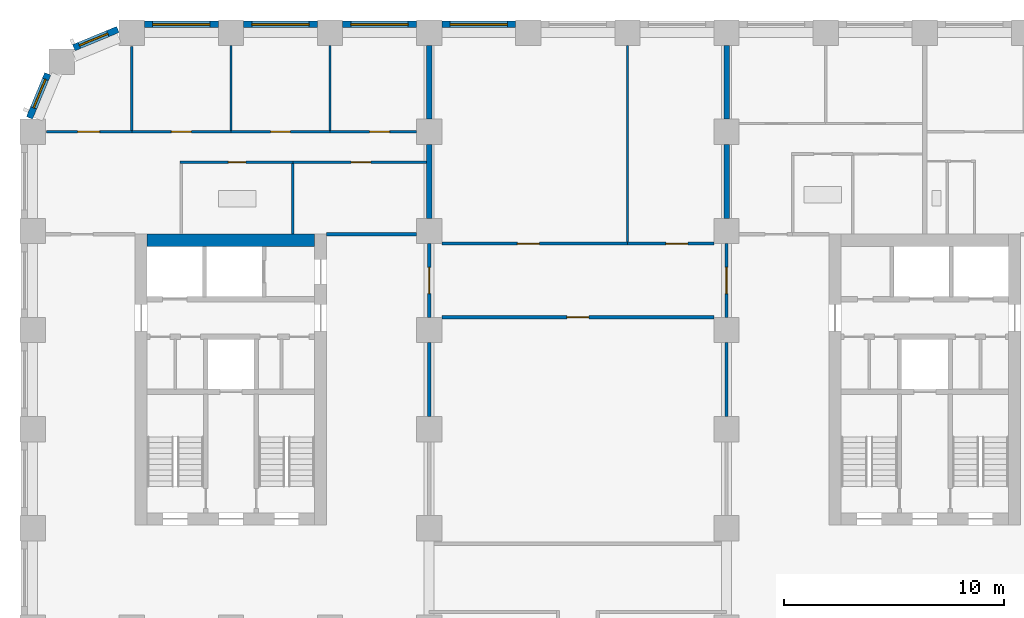
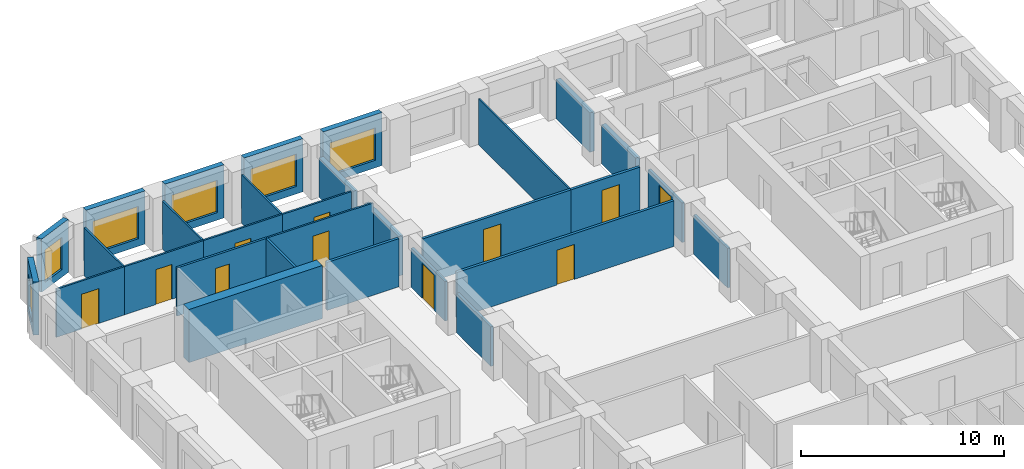
# One storey, part 7 of 12: 30 walls, 11 doors, 6 windows, 17 openings.
"""IFC4 building model written with IfcOpenShell, lengths in metres."""

from ifc_helpers import new_model, si_unit, direction, frame, frame_2d, origin, place, context, subcontext, project, spatial, rectangle, extrude, material, layer, layer_set, type_object, element, fill, save


model = new_model("IFC4")

# Units and contexts
model_context = context("Model", 3, precision=1e-05, world=origin(), true_north=direction((0.0, 1.0)))
body_context = subcontext(model_context, "Body", "Model", "MODEL_VIEW")
ifc_project = project(units=[si_unit("LENGTHUNIT", "METRE"), si_unit("AREAUNIT", "SQUARE_METRE"), si_unit("VOLUMEUNIT", "CUBIC_METRE"), si_unit("PLANEANGLEUNIT", "RADIAN"), si_unit("MASSUNIT", "GRAM", prefix="KILO")], contexts=[model_context])

# Site, building, storey
site_placement = place(None, origin())
site = spatial("IfcSite", under=ifc_project, at=site_placement, CompositionType="ELEMENT")
building_placement = place(site_placement, origin())
building = spatial("IfcBuilding", under=site, at=building_placement, Name="Girih Gate Residences", CompositionType="ELEMENT")
storey_placement = place(building_placement, frame((0.0, 0.0, 112.0)))
storey = spatial("IfcBuildingStorey", under=building, at=storey_placement, Name="L31", CompositionType="ELEMENT", Elevation=112.0)

# Walls
ifc_material_1 = material(Name="Gypsum board on steel studs", Category="steel")
ifc_layer_1 = layer(ifc_material_1, 0.25)
ifc_layer_set_1 = layer_set([ifc_layer_1], Name="Acoustic separating wall 250 mm")
wall_type_1 = type_object("IfcWallType", Name="Acoustic separating wall 250 mm", PredefinedType="PARTITIONING", material=ifc_layer_set_1)
for number, where, z_axis, x_axis, name in (
    (1, (18.0, 45.574951171875, 0.0), (0.0, 0.0, 1.0), (0.0, 1.0, 0.0), "L31 partition"),
    (2, (18.0, 41.074951171875, 0.0), (0.0, 0.0, 1.0), (0.0, 1.0, 0.0), "L31 partition"),
    (3, (31.5, 41.074951171875, 0.0), (0.0, 0.0, 1.0), (0.0, 1.0, 0.0), "L31 partition"),
    (4, (31.5, 45.574951171875, 0.0), (0.0, 0.0, 1.0), (0.0, 1.0, 0.0), "L31 partition"),
):
    element("IfcWall", number, at=place(storey_placement, frame(where, z_axis=z_axis, x_axis=x_axis)), inside=storey, type_object=wall_type_1, Name=name, PredefinedType="PARTITIONING", context=body_context, shape_type="SweptSolid", body=[
        extrude(rectangle(XDim=3.35009765625, YDim=0.25, at=frame_2d((1.675048828125, 0.0))), origin(), (0.0, 0.0, 1.0), 2.3798828125),
    ])
ifc_layer_2 = layer(ifc_material_1, 0.14990234375)
ifc_layer_set_2 = layer_set([ifc_layer_2], Name="Compartment wall 150 mm")
wall_type_2 = type_object("IfcWallType", Name="Compartment wall 150 mm", PredefinedType="PARTITIONING", material=ifc_layer_set_2)
wall_1_placement = place(storey_placement, frame((13.35009765625, 40.35009765625, 0.0), z_axis=(0.0, 0.0, 1.0), x_axis=(1.0, 0.0, 0.0)))
element("IfcWall", 5, at=wall_1_placement, inside=storey, type_object=wall_type_2, Name="L31 partition", PredefinedType="PARTITIONING", context=body_context, shape_type="SweptSolid", body=[
    extrude(rectangle(XDim=4.074951171875, YDim=0.14990234375, at=frame_2d((2.03759765625, 0.0))), origin(), (0.0, 0.0, 1.0), 2.89990234375),
])

# Wall, opening, door
wall_2_placement = place(storey_placement, frame((18.574951171875, 39.925048828125, 0.0), z_axis=(0.0, 0.0, 1.0), x_axis=(1.0, 0.0, 0.0)))
wall_2 = element("IfcWall", 6, at=wall_2_placement, inside=storey, type_object=wall_type_2, Name="L31 partition", PredefinedType="PARTITIONING", context=body_context, shape_type="SweptSolid", body=[
    extrude(rectangle(XDim=8.425048828125, YDim=0.14990234375, at=frame_2d((4.21240234375, 0.0))), origin(), (0.0, 0.0, 1.0), 2.75),
])
opening_1_placement = place(wall_2_placement, frame((3.425048828125, 0.0, 0.0)))
opening_1 = element("IfcOpeningElement", 7, at=opening_1_placement, cuts=wall_2, Name="Opening A31-039", PredefinedType="OPENING", context=body_context, shape_type="SweptSolid", body=[
    extrude(rectangle(XDim=1.0, YDim=2.10009765625, at=frame_2d((0.5, 1.050048828125))), frame((0.0, 0.0849609375, 0.0), z_axis=(0.0, -1.0, 0.0), x_axis=(1.0, 0.0, 0.0)), (0.0, 0.0, 1.0), 0.169921875),
])
ifc_material_2 = material(Name="Timber, fire-rated core", Category="wood")
door_type_1 = type_object("IfcDoorType", Name="Amenity room door 1000x2100 FD30S", OperationType="NOTDEFINED", PredefinedType="DOOR", material=ifc_material_2)
door_1_placement = place(opening_1_placement, origin())
door_1 = element("IfcDoor", 8, at=door_1_placement, inside=storey, type_object=door_type_1, Name="Door A31-039", OperationType="SINGLE_SWING_LEFT", OverallHeight=2.10009765625, OverallWidth=1.0, PredefinedType="DOOR", context=body_context, shape_type="SweptSolid", body=[
    extrude(rectangle(XDim=1.0, YDim=2.10009765625, at=frame_2d((0.5, 1.050048828125))), frame((0.0, 0.02490234375, 0.0), z_axis=(0.0, -1.0, 0.0), x_axis=(1.0, 0.0, 0.0)), (0.0, 0.0, 1.0), 0.050048828125),
])
fill(opening_1, door_1)

wall_3_placement = place(storey_placement, frame((27.0, 39.925048828125, 0.0), z_axis=(0.0, 0.0, 1.0), x_axis=(1.0, 0.0, 0.0)))
wall_3 = element("IfcWall", 9, at=wall_3_placement, inside=storey, type_object=wall_type_2, Name="L31 partition", PredefinedType="PARTITIONING", context=body_context, shape_type="SweptSolid", body=[
    extrude(rectangle(XDim=3.925048828125, YDim=0.14990234375, at=frame_2d((1.96240234375, 0.0))), origin(), (0.0, 0.0, 1.0), 2.75),
])
opening_2_placement = place(wall_3_placement, frame((1.75, 0.0, 0.0)))
opening_2 = element("IfcOpeningElement", 10, at=opening_2_placement, cuts=wall_3, Name="Opening A31-040", PredefinedType="OPENING", context=body_context, shape_type="SweptSolid", body=[
    extrude(rectangle(XDim=1.0, YDim=2.10009765625, at=frame_2d((0.5, 1.050048828125))), frame((0.0, 0.0849609375, 0.0), z_axis=(0.0, -1.0, 0.0), x_axis=(1.0, 0.0, 0.0)), (0.0, 0.0, 1.0), 0.169921875),
])
door_2_placement = place(opening_2_placement, origin())
door_2 = element("IfcDoor", 11, at=door_2_placement, inside=storey, type_object=door_type_1, Name="Door A31-040", OperationType="SINGLE_SWING_RIGHT", OverallHeight=2.10009765625, OverallWidth=1.0, PredefinedType="DOOR", context=body_context, shape_type="SweptSolid", body=[
    extrude(rectangle(XDim=1.0, YDim=2.10009765625, at=frame_2d((0.5, 1.050048828125))), frame((0.0, 0.02490234375, 0.0), z_axis=(0.0, -1.0, 0.0), x_axis=(1.0, 0.0, 0.0)), (0.0, 0.0, 1.0), 0.050048828125),
])
fill(opening_2, door_2)

wall_4_placement = place(storey_placement, frame((30.925048828125, 36.574951171875, 0.0), z_axis=(0.0, 0.0, 1.0), x_axis=(-1.0, 0.0, 0.0)))
wall_4 = element("IfcWall", 12, at=wall_4_placement, inside=storey, type_object=wall_type_2, Name="L31 partition", PredefinedType="PARTITIONING", context=body_context, shape_type="SweptSolid", body=[
    extrude(rectangle(XDim=12.35009765625, YDim=0.14990234375, at=frame_2d((6.175048828125, 0.0))), origin(), (0.0, 0.0, 1.0), 2.75),
])
opening_3_placement = place(wall_4_placement, frame((5.675048828125, 0.0, 0.0)))
opening_3 = element("IfcOpeningElement", 13, at=opening_3_placement, cuts=wall_4, Name="Opening A31-041", PredefinedType="OPENING", context=body_context, shape_type="SweptSolid", body=[
    extrude(rectangle(XDim=1.0, YDim=2.10009765625, at=frame_2d((0.5, 1.050048828125))), frame((0.0, 0.0849609375, 0.0), z_axis=(0.0, -1.0, 0.0), x_axis=(1.0, 0.0, 0.0)), (0.0, 0.0, 1.0), 0.169921875),
])
door_3_placement = place(opening_3_placement, origin())
door_3 = element("IfcDoor", 14, at=door_3_placement, inside=storey, type_object=door_type_1, Name="Door A31-041", OperationType="SINGLE_SWING_RIGHT", OverallHeight=2.10009765625, OverallWidth=1.0, PredefinedType="DOOR", context=body_context, shape_type="SweptSolid", body=[
    extrude(rectangle(XDim=1.0, YDim=2.10009765625, at=frame_2d((0.5, 1.050048828125))), frame((0.0, 0.02490234375, 0.0), z_axis=(0.0, -1.0, 0.0), x_axis=(1.0, 0.0, 0.0)), (0.0, 0.0, 1.0), 0.050048828125),
])
fill(opening_3, door_3)

wall_5_placement = place(storey_placement, frame((31.5, 36.574951171875, 0.0), z_axis=(0.0, 0.0, 1.0), x_axis=(0.0, 1.0, 0.0)))
wall_5 = element("IfcWall", 15, at=wall_5_placement, inside=storey, type_object=wall_type_2, Name="L31 partition", PredefinedType="PARTITIONING", context=body_context, shape_type="SweptSolid", body=[
    extrude(rectangle(XDim=3.35009765625, YDim=0.14990234375, at=frame_2d((1.675048828125, 0.0))), origin(), (0.0, 0.0, 1.0), 2.3798828125),
])
opening_4_placement = place(wall_5_placement, frame((1.074951171875, 0.0, 0.0)))
opening_4 = element("IfcOpeningElement", 16, at=opening_4_placement, cuts=wall_5, Name="Opening A31-042", PredefinedType="OPENING", context=body_context, shape_type="SweptSolid", body=[
    extrude(rectangle(XDim=1.199951171875, YDim=2.10009765625, at=frame_2d((0.60009765625, 1.050048828125))), frame((0.0, 0.0849609375, 0.0), z_axis=(0.0, -1.0, 0.0), x_axis=(1.0, 0.0, 0.0)), (0.0, 0.0, 1.0), 0.169921875),
])
door_type_2 = type_object("IfcDoorType", Name="Corridor fire door 1200x2100 FD30S", OperationType="NOTDEFINED", PredefinedType="DOOR", material=ifc_material_2)
door_4_placement = place(opening_4_placement, origin())
door_4 = element("IfcDoor", 17, at=door_4_placement, inside=storey, type_object=door_type_2, Name="Door A31-042", OperationType="SINGLE_SWING_LEFT", OverallHeight=2.10009765625, OverallWidth=1.199951171875, PredefinedType="DOOR", context=body_context, shape_type="SweptSolid", body=[
    extrude(rectangle(XDim=1.199951171875, YDim=2.10009765625, at=frame_2d((0.60009765625, 1.050048828125))), frame((0.0, 0.02490234375, 0.0), z_axis=(0.0, -1.0, 0.0), x_axis=(1.0, 0.0, 0.0)), (0.0, 0.0, 1.0), 0.050048828125),
])
fill(opening_4, door_4)

wall_6_placement = place(storey_placement, frame((18.0, 39.925048828125, 0.0), z_axis=(0.0, 0.0, 1.0), x_axis=(0.0, -1.0, 0.0)))
wall_6 = element("IfcWall", 18, at=wall_6_placement, inside=storey, type_object=wall_type_2, Name="L31 partition", PredefinedType="PARTITIONING", context=body_context, shape_type="SweptSolid", body=[
    extrude(rectangle(XDim=3.35009765625, YDim=0.14990234375, at=frame_2d((1.675048828125, 0.0))), origin(), (0.0, 0.0, 1.0), 2.3798828125),
])
opening_5_placement = place(wall_6_placement, frame((1.074951171875, 0.0, 0.0)))
opening_5 = element("IfcOpeningElement", 19, at=opening_5_placement, cuts=wall_6, Name="Opening A31-043", PredefinedType="OPENING", context=body_context, shape_type="SweptSolid", body=[
    extrude(rectangle(XDim=1.199951171875, YDim=2.10009765625, at=frame_2d((0.60009765625, 1.050048828125))), frame((0.0, 0.0849609375, 0.0), z_axis=(0.0, -1.0, 0.0), x_axis=(1.0, 0.0, 0.0)), (0.0, 0.0, 1.0), 0.169921875),
])
door_5_placement = place(opening_5_placement, origin())
door_5 = element("IfcDoor", 20, at=door_5_placement, inside=storey, type_object=door_type_2, Name="Door A31-043", OperationType="SINGLE_SWING_LEFT", OverallHeight=2.10009765625, OverallWidth=1.199951171875, PredefinedType="DOOR", context=body_context, shape_type="SweptSolid", body=[
    extrude(rectangle(XDim=1.199951171875, YDim=2.10009765625, at=frame_2d((0.60009765625, 1.050048828125))), frame((0.0, 0.02490234375, 0.0), z_axis=(0.0, -1.0, 0.0), x_axis=(1.0, 0.0, 0.0)), (0.0, 0.0, 1.0), 0.050048828125),
])
fill(opening_5, door_5)

# Walls
for number, where, z_axis, x_axis, name in (
    (21, (31.5, 32.074951171875, 0.0), (0.0, 0.0, 1.0), (0.0, 1.0, 0.0), "L31 partition"),
    (22, (18.0, 32.074951171875, 0.0), (0.0, 0.0, 1.0), (0.0, 1.0, 0.0), "L31 partition"),
):
    element("IfcWall", number, at=place(storey_placement, frame(where, z_axis=z_axis, x_axis=x_axis)), inside=storey, type_object=wall_type_2, Name=name, PredefinedType="PARTITIONING", context=body_context, shape_type="SweptSolid", body=[
        extrude(rectangle(XDim=3.35009765625, YDim=0.14990234375, at=frame_2d((1.675048828125, 0.0))), origin(), (0.0, 0.0, 1.0), 2.3798828125),
    ])
ifc_material_3 = material(Name="Concrete C60/75", Category="concrete")
ifc_layer_3 = layer(ifc_material_3, 0.550048828125)
ifc_layer_set_3 = layer_set([ifc_layer_3], Name="Core wall RC 550 Concrete C60/75")
wall_type_3 = type_object("IfcWallType", Name="Core wall RC 550 Concrete C60/75", PredefinedType="SOLIDWALL", material=ifc_layer_set_3)
wall_7_placement = place(storey_placement, frame((5.199951171875, 40.074951171875, 0.0), z_axis=(0.0, 0.0, 1.0), x_axis=(1.0, 0.0, 0.0)))
element("IfcWall", 23, at=wall_7_placement, inside=storey, type_object=wall_type_3, Name="Core wall W-N L31", PredefinedType="SOLIDWALL", context=body_context, shape_type="SweptSolid", body=[
    extrude(rectangle(XDim=7.60009765625, YDim=0.550048828125, at=frame_2d((3.800048828125, 0.0))), origin(), (0.0, 0.0, 1.0), 3.199951171875),
])
ifc_layer_4 = layer(ifc_material_1, 0.10009765625)
ifc_layer_set_4 = layer_set([ifc_layer_4], Name="Partition 100 mm")
wall_type_4 = type_object("IfcWallType", Name="Partition 100 mm", PredefinedType="PARTITIONING", material=ifc_layer_set_4)
wall_8_placement = place(storey_placement, frame((9.0, 45.050048828125, 0.0), z_axis=(0.0, 0.0, 1.0), x_axis=(0.0, 1.0, 0.0)))
element("IfcWall", 24, at=wall_8_placement, inside=storey, type_object=wall_type_4, Name="L31 partition", PredefinedType="PARTITIONING", context=body_context, shape_type="SweptSolid", body=[
    extrude(rectangle(XDim=3.875, YDim=0.10009765625, at=frame_2d((1.9375, 0.0))), origin(), (0.0, 0.0, 1.0), 2.89990234375),
])

# Wall, opening, door
wall_9_placement = place(storey_placement, frame((4.5, 45.0, 0.0), z_axis=(0.0, 0.0, 1.0), x_axis=(1.0, 0.0, 0.0)))
wall_9 = element("IfcWall", 25, at=wall_9_placement, inside=storey, type_object=wall_type_4, Name="L31 partition", PredefinedType="PARTITIONING", context=body_context, shape_type="SweptSolid", body=[
    extrude(rectangle(XDim=4.5, YDim=0.10009765625, at=frame_2d((2.25, 0.0))), origin(), (0.0, 0.0, 1.0), 2.89990234375),
])
opening_6_placement = place(wall_9_placement, frame((1.800048828125, 0.0, 0.0)))
opening_6 = element("IfcOpeningElement", 26, at=opening_6_placement, cuts=wall_9, Name="Opening A31-011", PredefinedType="OPENING", context=body_context, shape_type="SweptSolid", body=[
    extrude(rectangle(XDim=0.89990234375, YDim=2.10009765625, at=frame_2d((0.449951171875, 1.050048828125))), frame((0.0, 0.06005859375, 0.0), z_axis=(0.0, -1.0, 0.0), x_axis=(1.0, 0.0, 0.0)), (0.0, 0.0, 1.0), 0.1201171875),
])
ifc_material_4 = material(Name="Timber", Category="wood")
door_type_3 = type_object("IfcDoorType", Name="Bedroom door 900x2100", OperationType="NOTDEFINED", PredefinedType="DOOR", material=ifc_material_4)
door_6_placement = place(opening_6_placement, origin())
door_6 = element("IfcDoor", 27, at=door_6_placement, inside=storey, type_object=door_type_3, Name="Door A31-011", OperationType="SINGLE_SWING_RIGHT", OverallHeight=2.10009765625, OverallWidth=0.89990234375, PredefinedType="DOOR", context=body_context, shape_type="SweptSolid", body=[
    extrude(rectangle(XDim=0.89990234375, YDim=2.10009765625, at=frame_2d((0.449951171875, 1.050048828125))), frame((0.0, 0.02490234375, 0.0), z_axis=(0.0, -1.0, 0.0), x_axis=(1.0, 0.0, 0.0)), (0.0, 0.0, 1.0), 0.050048828125),
])
fill(opening_6, door_6)

# Walls
wall_10_placement = place(storey_placement, frame((4.5, 45.050048828125, 0.0), z_axis=(0.0, 0.0, 1.0), x_axis=(0.0, 1.0, 0.0)))
element("IfcWall", 28, at=wall_10_placement, inside=storey, type_object=wall_type_4, Name="L31 partition", PredefinedType="PARTITIONING", context=body_context, shape_type="SweptSolid", body=[
    extrude(rectangle(XDim=3.82763671875, YDim=0.10009765625, at=frame_2d((1.913818359375, 0.0))), origin(), (0.0, 0.0, 1.0), 2.89990234375),
])
wall_11_placement = place(storey_placement, frame((13.5, 45.050048828125, 0.0), z_axis=(0.0, 0.0, 1.0), x_axis=(0.0, 1.0, 0.0)))
element("IfcWall", 29, at=wall_11_placement, inside=storey, type_object=wall_type_4, Name="L31 partition", PredefinedType="PARTITIONING", context=body_context, shape_type="SweptSolid", body=[
    extrude(rectangle(XDim=3.875, YDim=0.10009765625, at=frame_2d((1.9375, 0.0))), origin(), (0.0, 0.0, 1.0), 2.89990234375),
])

# Wall, opening, door
wall_12_placement = place(storey_placement, frame((9.0, 45.0, 0.0), z_axis=(0.0, 0.0, 1.0), x_axis=(1.0, 0.0, 0.0)))
wall_12 = element("IfcWall", 30, at=wall_12_placement, inside=storey, type_object=wall_type_4, Name="L31 partition", PredefinedType="PARTITIONING", context=body_context, shape_type="SweptSolid", body=[
    extrude(rectangle(XDim=4.5, YDim=0.10009765625, at=frame_2d((2.25, 0.0))), origin(), (0.0, 0.0, 1.0), 2.89990234375),
])
opening_7_placement = place(wall_12_placement, frame((1.800048828125, 0.0, 0.0)))
opening_7 = element("IfcOpeningElement", 31, at=opening_7_placement, cuts=wall_12, Name="Opening A31-012", PredefinedType="OPENING", context=body_context, shape_type="SweptSolid", body=[
    extrude(rectangle(XDim=0.89990234375, YDim=2.10009765625, at=frame_2d((0.449951171875, 1.050048828125))), frame((0.0, 0.06005859375, 0.0), z_axis=(0.0, -1.0, 0.0), x_axis=(1.0, 0.0, 0.0)), (0.0, 0.0, 1.0), 0.1201171875),
])
door_7_placement = place(opening_7_placement, origin())
door_7 = element("IfcDoor", 32, at=door_7_placement, inside=storey, type_object=door_type_3, Name="Door A31-012", OperationType="SINGLE_SWING_LEFT", OverallHeight=2.10009765625, OverallWidth=0.89990234375, PredefinedType="DOOR", context=body_context, shape_type="SweptSolid", body=[
    extrude(rectangle(XDim=0.89990234375, YDim=2.10009765625, at=frame_2d((0.449951171875, 1.050048828125))), frame((0.0, 0.02490234375, 0.0), z_axis=(0.0, -1.0, 0.0), x_axis=(1.0, 0.0, 0.0)), (0.0, 0.0, 1.0), 0.050048828125),
])
fill(opening_7, door_7)

wall_13_placement = place(storey_placement, frame((13.5, 45.0, 0.0), z_axis=(0.0, 0.0, 1.0), x_axis=(1.0, 0.0, 0.0)))
wall_13 = element("IfcWall", 33, at=wall_13_placement, inside=storey, type_object=wall_type_4, Name="L31 partition", PredefinedType="PARTITIONING", context=body_context, shape_type="SweptSolid", body=[
    extrude(rectangle(XDim=3.925048828125, YDim=0.10009765625, at=frame_2d((1.96240234375, 0.0))), origin(), (0.0, 0.0, 1.0), 2.89990234375),
])
opening_8_placement = place(wall_13_placement, frame((1.800048828125, 0.0, 0.0)))
opening_8 = element("IfcOpeningElement", 34, at=opening_8_placement, cuts=wall_13, Name="Opening A31-013", PredefinedType="OPENING", context=body_context, shape_type="SweptSolid", body=[
    extrude(rectangle(XDim=0.89990234375, YDim=2.10009765625, at=frame_2d((0.449951171875, 1.050048828125))), frame((0.0, 0.06005859375, 0.0), z_axis=(0.0, -1.0, 0.0), x_axis=(1.0, 0.0, 0.0)), (0.0, 0.0, 1.0), 0.1201171875),
])
door_8_placement = place(opening_8_placement, origin())
door_8 = element("IfcDoor", 35, at=door_8_placement, inside=storey, type_object=door_type_3, Name="Door A31-013", OperationType="SINGLE_SWING_RIGHT", OverallHeight=2.10009765625, OverallWidth=0.89990234375, PredefinedType="DOOR", context=body_context, shape_type="SweptSolid", body=[
    extrude(rectangle(XDim=0.89990234375, YDim=2.10009765625, at=frame_2d((0.449951171875, 1.050048828125))), frame((0.0, 0.02490234375, 0.0), z_axis=(0.0, -1.0, 0.0), x_axis=(1.0, 0.0, 0.0)), (0.0, 0.0, 1.0), 0.050048828125),
])
fill(opening_8, door_8)

wall_14_placement = place(storey_placement, frame((17.875, 43.6201171875, 0.0), z_axis=(0.0, 0.0, 1.0), x_axis=(-1.0, 0.0, 0.0)))
wall_14 = element("IfcWall", 36, at=wall_14_placement, inside=storey, type_object=wall_type_4, Name="L31 partition", PredefinedType="PARTITIONING", context=body_context, shape_type="SweptSolid", body=[
    extrude(rectangle(XDim=6.064208984375, YDim=0.10009765625, at=frame_2d((3.0322265625, 0.0))), origin(), (0.0, 0.0, 1.0), 2.89990234375),
])
opening_9_placement = place(wall_14_placement, frame((2.51953125, 0.0, 0.0)))
opening_9 = element("IfcOpeningElement", 37, at=opening_9_placement, cuts=wall_14, Name="Opening A31-014", PredefinedType="OPENING", context=body_context, shape_type="SweptSolid", body=[
    extrude(rectangle(XDim=0.89990234375, YDim=2.10009765625, at=frame_2d((0.449951171875, 1.050048828125))), frame((0.0, 0.06005859375, 0.0), z_axis=(0.0, -1.0, 0.0), x_axis=(1.0, 0.0, 0.0)), (0.0, 0.0, 1.0), 0.1201171875),
])
door_type_4 = type_object("IfcDoorType", Name="Kitchen door 900x2100", OperationType="NOTDEFINED", PredefinedType="DOOR", material=ifc_material_4)
door_9_placement = place(opening_9_placement, origin())
door_9 = element("IfcDoor", 38, at=door_9_placement, inside=storey, type_object=door_type_4, Name="Door A31-014", OperationType="SINGLE_SWING_LEFT", OverallHeight=2.10009765625, OverallWidth=0.89990234375, PredefinedType="DOOR", context=body_context, shape_type="SweptSolid", body=[
    extrude(rectangle(XDim=0.89990234375, YDim=2.10009765625, at=frame_2d((0.449951171875, 1.050048828125))), frame((0.0, 0.02490234375, 0.0), z_axis=(0.0, -1.0, 0.0), x_axis=(1.0, 0.0, 0.0)), (0.0, 0.0, 1.0), 0.050048828125),
])
fill(opening_9, door_9)

wall_15_placement = place(storey_placement, frame((0.622314453125, 45.0, 0.0), z_axis=(0.0, 0.0, 1.0), x_axis=(1.0, 0.0, 0.0)))
wall_15 = element("IfcWall", 39, at=wall_15_placement, inside=storey, type_object=wall_type_4, Name="L31 partition", PredefinedType="PARTITIONING", context=body_context, shape_type="SweptSolid", body=[
    extrude(rectangle(XDim=3.877685546875, YDim=0.10009765625, at=frame_2d((1.93896484375, 0.0))), origin(), (0.0, 0.0, 1.0), 2.89990234375),
])
opening_10_placement = place(wall_15_placement, frame((1.4150390625, 0.0, 0.0)))
opening_10 = element("IfcOpeningElement", 40, at=opening_10_placement, cuts=wall_15, Name="Opening A31-015", PredefinedType="OPENING", context=body_context, shape_type="SweptSolid", body=[
    extrude(rectangle(XDim=1.0, YDim=2.10009765625, at=frame_2d((0.5, 1.050048828125))), frame((0.0, 0.06005859375, 0.0), z_axis=(0.0, -1.0, 0.0), x_axis=(1.0, 0.0, 0.0)), (0.0, 0.0, 1.0), 0.1201171875),
])
door_type_5 = type_object("IfcDoorType", Name="Living room door 1000x2100", OperationType="NOTDEFINED", PredefinedType="DOOR", material=ifc_material_4)
door_10_placement = place(opening_10_placement, origin())
door_10 = element("IfcDoor", 41, at=door_10_placement, inside=storey, type_object=door_type_5, Name="Door A31-015", OperationType="SINGLE_SWING_LEFT", OverallHeight=2.10009765625, OverallWidth=1.0, PredefinedType="DOOR", context=body_context, shape_type="SweptSolid", body=[
    extrude(rectangle(XDim=1.0, YDim=2.10009765625, at=frame_2d((0.5, 1.050048828125))), frame((0.0, 0.02490234375, 0.0), z_axis=(0.0, -1.0, 0.0), x_axis=(1.0, 0.0, 0.0)), (0.0, 0.0, 1.0), 0.050048828125),
])
fill(opening_10, door_10)

# Wall
wall_16_placement = place(storey_placement, frame((27.0, 40.0, 0.0), z_axis=(0.0, 0.0, 1.0), x_axis=(0.0, 1.0, 0.0)))
element("IfcWall", 42, at=wall_16_placement, inside=storey, type_object=wall_type_4, Name="L31 partition", PredefinedType="PARTITIONING", context=body_context, shape_type="SweptSolid", body=[
    extrude(rectangle(XDim=8.925048828125, YDim=0.10009765625, at=frame_2d((4.46240234375, 0.0))), origin(), (0.0, 0.0, 1.0), 2.75),
])

# Wall, opening, window
ifc_material_5 = material(Name="Precast concrete C50/60", Category="concrete")
ifc_layer_5 = layer(ifc_material_5, 0.080078125, Name="Outer leaf")
ifc_material_6 = material(Name="Rigid PIR insulation")
ifc_layer_6 = layer(ifc_material_6, 0.14990234375, Name="Insulation")
ifc_material_7 = material(Name="Precast concrete C40/50", Category="concrete")
ifc_layer_7 = layer(ifc_material_7, 0.070068359375, Name="Inner leaf")
ifc_layer_set_5 = layer_set([ifc_layer_5, ifc_layer_6, ifc_layer_7], Name="Precast concrete C50/60 external wall 300")
wall_type_5 = type_object("IfcWallType", Name="Precast concrete C50/60 external wall 300", PredefinedType="SOLIDWALL", material=ifc_layer_set_5)
wall_17_placement = place(storey_placement, frame((18.574951171875, 49.875, 0.0), z_axis=(0.0, 0.0, 1.0), x_axis=(1.0, 0.0, 0.0)))
wall_17 = element("IfcWall", 43, at=wall_17_placement, inside=storey, type_object=wall_type_5, Name="External wall N0450_0495.5", PredefinedType="SOLIDWALL", context=body_context, shape_type="SweptSolid", body=[
    extrude(rectangle(XDim=3.35009765625, YDim=0.300048828125, at=frame_2d((1.675048828125, 0.0))), origin(), (0.0, 0.0, 1.0), 3.199951171875),
])
opening_11_placement = place(wall_17_placement, frame((0.375, 0.0, 0.449951171875)))
opening_11 = element("IfcOpeningElement", 44, at=opening_11_placement, cuts=wall_17, Name="Opening W-1A", PredefinedType="OPENING", context=body_context, shape_type="SweptSolid", body=[
    extrude(rectangle(XDim=2.60009765625, YDim=1.949951171875, at=frame_2d((1.300048828125, 0.97509765625))), frame((0.0, 0.159912109375, 0.0), z_axis=(0.0, -1.0, 0.0), x_axis=(1.0, 0.0, 0.0)), (0.0, 0.0, 1.0), 0.320068359375),
])
ifc_material_8 = material(Name="Double glazing in aluminium frame", Category="aluminium")
window_type_1 = type_object("IfcWindowType", Name="Window W-1A 2600x1950", PartitioningType="SINGLE_PANEL", PredefinedType="WINDOW", material=ifc_material_8)
window_1_placement = place(opening_11_placement, origin())
window_1 = element("IfcWindow", 45, at=window_1_placement, inside=storey, type_object=window_type_1, Name="Window W-1A N0450_0495.5", OverallHeight=1.949951171875, OverallWidth=2.60009765625, PartitioningType="SINGLE_PANEL", PredefinedType="WINDOW", context=body_context, shape_type="SweptSolid", body=[
    extrude(rectangle(XDim=2.60009765625, YDim=1.949951171875, at=frame_2d((1.300048828125, 0.97509765625))), frame((0.0, 0.030029296875, 0.0), z_axis=(0.0, -1.0, 0.0), x_axis=(1.0, 0.0, 0.0)), (0.0, 0.0, 1.0), 0.06005859375),
])
fill(opening_11, window_1)

wall_18_placement = place(storey_placement, frame((14.074951171875, 49.875, 0.0), z_axis=(0.0, 0.0, 1.0), x_axis=(1.0, 0.0, 0.0)))
wall_18 = element("IfcWall", 46, at=wall_18_placement, inside=storey, type_object=wall_type_5, Name="External wall N0450_0495.6", PredefinedType="SOLIDWALL", context=body_context, shape_type="SweptSolid", body=[
    extrude(rectangle(XDim=3.35009765625, YDim=0.300048828125, at=frame_2d((1.675048828125, 0.0))), origin(), (0.0, 0.0, 1.0), 3.199951171875),
])
opening_12_placement = place(wall_18_placement, frame((0.375, 0.0, 0.449951171875)))
opening_12 = element("IfcOpeningElement", 47, at=opening_12_placement, cuts=wall_18, Name="Opening W-1A", PredefinedType="OPENING", context=body_context, shape_type="SweptSolid", body=[
    extrude(rectangle(XDim=2.60009765625, YDim=1.949951171875, at=frame_2d((1.300048828125, 0.97509765625))), frame((0.0, 0.159912109375, 0.0), z_axis=(0.0, -1.0, 0.0), x_axis=(1.0, 0.0, 0.0)), (0.0, 0.0, 1.0), 0.320068359375),
])
window_2_placement = place(opening_12_placement, origin())
window_2 = element("IfcWindow", 48, at=window_2_placement, inside=storey, type_object=window_type_1, Name="Window W-1A N0450_0495.6", OverallHeight=1.949951171875, OverallWidth=2.60009765625, PartitioningType="SINGLE_PANEL", PredefinedType="WINDOW", context=body_context, shape_type="SweptSolid", body=[
    extrude(rectangle(XDim=2.60009765625, YDim=1.949951171875, at=frame_2d((1.300048828125, 0.97509765625))), frame((0.0, 0.030029296875, 0.0), z_axis=(0.0, -1.0, 0.0), x_axis=(1.0, 0.0, 0.0)), (0.0, 0.0, 1.0), 0.06005859375),
])
fill(opening_12, window_2)

wall_19_placement = place(storey_placement, frame((9.574951171875, 49.875, 0.0), z_axis=(0.0, 0.0, 1.0), x_axis=(1.0, 0.0, 0.0)))
wall_19 = element("IfcWall", 49, at=wall_19_placement, inside=storey, type_object=wall_type_5, Name="External wall N0450_0495.7", PredefinedType="SOLIDWALL", context=body_context, shape_type="SweptSolid", body=[
    extrude(rectangle(XDim=3.35009765625, YDim=0.300048828125, at=frame_2d((1.675048828125, 0.0))), origin(), (0.0, 0.0, 1.0), 3.199951171875),
])
opening_13_placement = place(wall_19_placement, frame((0.375, 0.0, 0.449951171875)))
opening_13 = element("IfcOpeningElement", 50, at=opening_13_placement, cuts=wall_19, Name="Opening W-1A", PredefinedType="OPENING", context=body_context, shape_type="SweptSolid", body=[
    extrude(rectangle(XDim=2.60009765625, YDim=1.949951171875, at=frame_2d((1.300048828125, 0.97509765625))), frame((0.0, 0.159912109375, 0.0), z_axis=(0.0, -1.0, 0.0), x_axis=(1.0, 0.0, 0.0)), (0.0, 0.0, 1.0), 0.320068359375),
])
window_3_placement = place(opening_13_placement, origin())
window_3 = element("IfcWindow", 51, at=window_3_placement, inside=storey, type_object=window_type_1, Name="Window W-1A N0450_0495.7", OverallHeight=1.949951171875, OverallWidth=2.60009765625, PartitioningType="SINGLE_PANEL", PredefinedType="WINDOW", context=body_context, shape_type="SweptSolid", body=[
    extrude(rectangle(XDim=2.60009765625, YDim=1.949951171875, at=frame_2d((1.300048828125, 0.97509765625))), frame((0.0, 0.030029296875, 0.0), z_axis=(0.0, -1.0, 0.0), x_axis=(1.0, 0.0, 0.0)), (0.0, 0.0, 1.0), 0.06005859375),
])
fill(opening_13, window_3)

wall_20_placement = place(storey_placement, frame((5.074951171875, 49.875, 0.0), z_axis=(0.0, 0.0, 1.0), x_axis=(1.0, 0.0, 0.0)))
wall_20 = element("IfcWall", 52, at=wall_20_placement, inside=storey, type_object=wall_type_5, Name="External wall N0450_0495.8", PredefinedType="SOLIDWALL", context=body_context, shape_type="SweptSolid", body=[
    extrude(rectangle(XDim=3.35009765625, YDim=0.300048828125, at=frame_2d((1.675048828125, 0.0))), origin(), (0.0, 0.0, 1.0), 3.199951171875),
])
opening_14_placement = place(wall_20_placement, frame((0.375, 0.0, 0.449951171875)))
opening_14 = element("IfcOpeningElement", 53, at=opening_14_placement, cuts=wall_20, Name="Opening W-1A", PredefinedType="OPENING", context=body_context, shape_type="SweptSolid", body=[
    extrude(rectangle(XDim=2.60009765625, YDim=1.949951171875, at=frame_2d((1.300048828125, 0.97509765625))), frame((0.0, 0.159912109375, 0.0), z_axis=(0.0, -1.0, 0.0), x_axis=(1.0, 0.0, 0.0)), (0.0, 0.0, 1.0), 0.320068359375),
])
window_4_placement = place(opening_14_placement, origin())
window_4 = element("IfcWindow", 54, at=window_4_placement, inside=storey, type_object=window_type_1, Name="Window W-1A N0450_0495.8", OverallHeight=1.949951171875, OverallWidth=2.60009765625, PartitioningType="SINGLE_PANEL", PredefinedType="WINDOW", context=body_context, shape_type="SweptSolid", body=[
    extrude(rectangle(XDim=2.60009765625, YDim=1.949951171875, at=frame_2d((1.300048828125, 0.97509765625))), frame((0.0, 0.030029296875, 0.0), z_axis=(0.0, -1.0, 0.0), x_axis=(1.0, 0.0, 0.0)), (0.0, 0.0, 1.0), 0.06005859375),
])
fill(opening_14, window_4)

wall_21_placement = place(storey_placement, frame((1.86865234375, 48.81591796875, 0.0), z_axis=(0.0, 0.0, 1.0), x_axis=(0.923862802911, 0.382723818695, 0.0)))
wall_21 = element("IfcWall", 55, at=wall_21_placement, inside=storey, type_object=wall_type_5, Name="External wall NW0045_0495.0", PredefinedType="SOLIDWALL", context=body_context, shape_type="SweptSolid", body=[
    extrude(rectangle(XDim=2.163818359375, YDim=0.300048828125, at=frame_2d((1.08203125, 0.0))), origin(), (0.0, 0.0, 1.0), 3.199951171875),
])
opening_15_placement = place(wall_21_placement, frame((0.270751953125, 0.0, 0.449951171875)))
opening_15 = element("IfcOpeningElement", 56, at=opening_15_placement, cuts=wall_21, Name="Opening W-2D", PredefinedType="OPENING", context=body_context, shape_type="SweptSolid", body=[
    extrude(rectangle(XDim=1.39990234375, YDim=1.949951171875, at=frame_2d((0.699951171875, 0.97509765625))), frame((0.0, 0.159912109375, 0.0), z_axis=(0.0, -1.0, 0.0), x_axis=(1.0, 0.0, 0.0)), (0.0, 0.0, 1.0), 0.320068359375),
])
window_type_2 = type_object("IfcWindowType", Name="Window W-2D 1400x1950", PartitioningType="SINGLE_PANEL", PredefinedType="WINDOW", material=ifc_material_8)
window_5_placement = place(opening_15_placement, origin())
window_5 = element("IfcWindow", 57, at=window_5_placement, inside=storey, type_object=window_type_2, Name="Window W-2D NW0045_0495.0", OverallHeight=1.949951171875, OverallWidth=1.39990234375, PartitioningType="SINGLE_PANEL", PredefinedType="WINDOW", context=body_context, shape_type="SweptSolid", body=[
    extrude(rectangle(XDim=1.39990234375, YDim=1.949951171875, at=frame_2d((0.699951171875, 0.97509765625))), frame((0.0, 0.030029296875, 0.0), z_axis=(0.0, -1.0, 0.0), x_axis=(1.0, 0.0, 0.0)), (0.0, 0.0, 1.0), 0.06005859375),
])
fill(opening_15, window_5)

wall_22_placement = place(storey_placement, frame((-0.14404296875, 45.63232421875, 0.0), z_axis=(0.0, 0.0, 1.0), x_axis=(0.382723818695, 0.923862802911, 0.0)))
wall_22 = element("IfcWall", 58, at=wall_22_placement, inside=storey, type_object=wall_type_5, Name="External wall NW0013_0482.0", PredefinedType="SOLIDWALL", context=body_context, shape_type="SweptSolid", body=[
    extrude(rectangle(XDim=2.163818359375, YDim=0.300048828125, at=frame_2d((1.08203125, 0.0))), origin(), (0.0, 0.0, 1.0), 3.199951171875),
])
opening_16_placement = place(wall_22_placement, frame((0.492919921875, 0.0, 0.449951171875)))
opening_16 = element("IfcOpeningElement", 59, at=opening_16_placement, cuts=wall_22, Name="Opening W-2D", PredefinedType="OPENING", context=body_context, shape_type="SweptSolid", body=[
    extrude(rectangle(XDim=1.39990234375, YDim=1.949951171875, at=frame_2d((0.699951171875, 0.97509765625))), frame((0.0, 0.159912109375, 0.0), z_axis=(0.0, -1.0, 0.0), x_axis=(1.0, 0.0, 0.0)), (0.0, 0.0, 1.0), 0.320068359375),
])
window_6_placement = place(opening_16_placement, origin())
window_6 = element("IfcWindow", 60, at=window_6_placement, inside=storey, type_object=window_type_2, Name="Window W-2D NW0013_0482.0", OverallHeight=1.949951171875, OverallWidth=1.39990234375, PartitioningType="SINGLE_PANEL", PredefinedType="WINDOW", context=body_context, shape_type="SweptSolid", body=[
    extrude(rectangle(XDim=1.39990234375, YDim=1.949951171875, at=frame_2d((0.699951171875, 0.97509765625))), frame((0.0, 0.030029296875, 0.0), z_axis=(0.0, -1.0, 0.0), x_axis=(1.0, 0.0, 0.0)), (0.0, 0.0, 1.0), 0.06005859375),
])
fill(opening_16, window_6)

# Wall, opening, door
ifc_layer_8 = layer(ifc_material_1, 0.125)
ifc_layer_set_6 = layer_set([ifc_layer_8], Name="Wet room wall 125 mm")
wall_type_6 = type_object("IfcWallType", Name="Wet room wall 125 mm", PredefinedType="PARTITIONING", material=ifc_layer_set_6)
wall_23_placement = place(storey_placement, frame((11.810791015625, 43.6201171875, 0.0), z_axis=(0.0, 0.0, 1.0), x_axis=(-1.0, 0.0, 0.0)))
wall_23 = element("IfcWall", 61, at=wall_23_placement, inside=storey, type_object=wall_type_6, Name="L31 partition", PredefinedType="PARTITIONING", context=body_context, shape_type="SweptSolid", body=[
    extrude(rectangle(XDim=5.123291015625, YDim=0.125, at=frame_2d((2.5615234375, 0.0))), origin(), (0.0, 0.0, 1.0), 2.89990234375),
])
opening_17_placement = place(wall_23_placement, frame((2.13037109375, 0.0, 0.0)))
opening_17 = element("IfcOpeningElement", 62, at=opening_17_placement, cuts=wall_23, Name="Opening A31-010", PredefinedType="OPENING", context=body_context, shape_type="SweptSolid", body=[
    extrude(rectangle(XDim=0.800048828125, YDim=2.10009765625, at=frame_2d((0.39990234375, 1.050048828125))), frame((0.0, 0.072509765625, 0.0), z_axis=(0.0, -1.0, 0.0), x_axis=(1.0, 0.0, 0.0)), (0.0, 0.0, 1.0), 0.14501953125),
])
door_type_6 = type_object("IfcDoorType", Name="Bathroom door 800x2100", OperationType="NOTDEFINED", PredefinedType="DOOR", material=ifc_material_4)
door_11_placement = place(opening_17_placement, origin())
door_11 = element("IfcDoor", 63, at=door_11_placement, inside=storey, type_object=door_type_6, Name="Door A31-010", OperationType="SINGLE_SWING_LEFT", OverallHeight=2.10009765625, OverallWidth=0.800048828125, PredefinedType="DOOR", context=body_context, shape_type="SweptSolid", body=[
    extrude(rectangle(XDim=0.800048828125, YDim=2.10009765625, at=frame_2d((0.39990234375, 1.050048828125))), frame((0.0, 0.02490234375, 0.0), z_axis=(0.0, -1.0, 0.0), x_axis=(1.0, 0.0, 0.0)), (0.0, 0.0, 1.0), 0.050048828125),
])
fill(opening_17, door_11)

# Wall
wall_24_placement = place(storey_placement, frame((11.81103515625, 40.35009765625, 0.0), z_axis=(0.0, 0.0, 1.0), x_axis=(0.0, 1.0, 0.0)))
element("IfcWall", 64, at=wall_24_placement, inside=storey, type_object=wall_type_6, Name="L31 partition", PredefinedType="PARTITIONING", context=body_context, shape_type="SweptSolid", body=[
    extrude(rectangle(XDim=3.20751953125, YDim=0.125, at=frame_2d((1.603759765625, 0.0))), origin(), (0.0, 0.0, 1.0), 2.89990234375),
])

save(model, "model.ifc")
